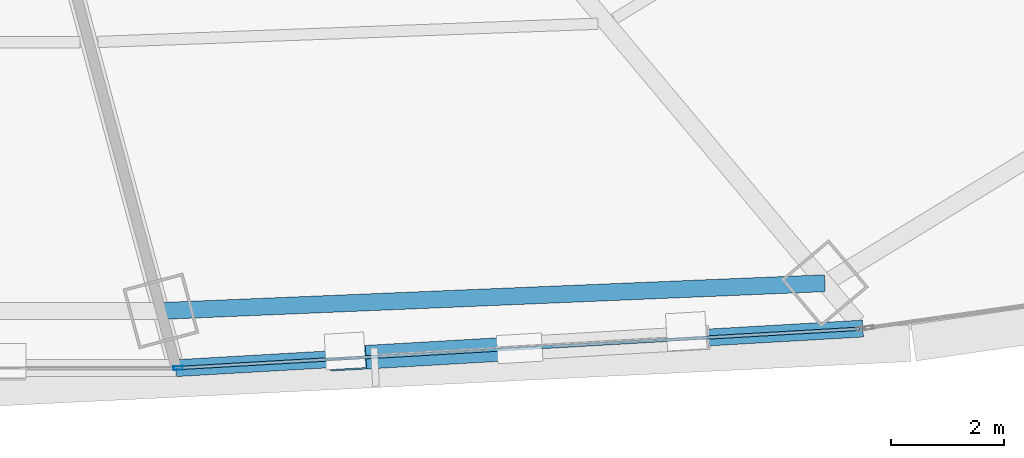
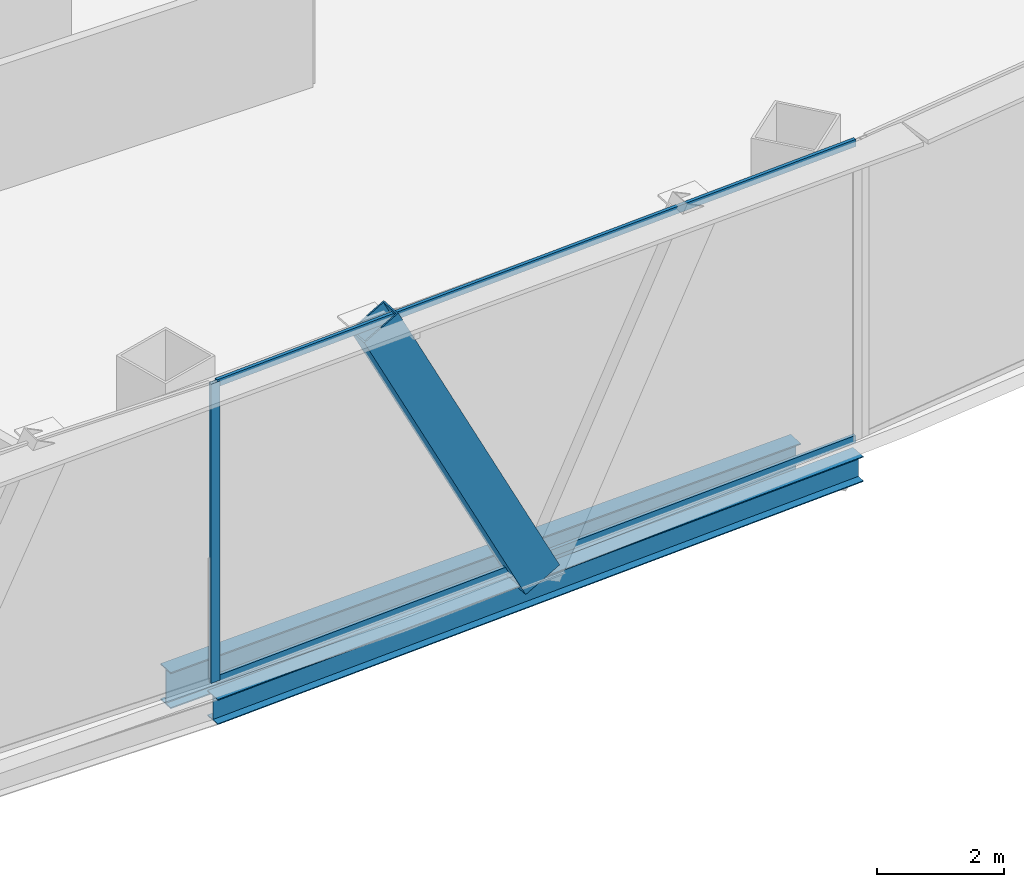
# One storey, part 10 of 41: 4 members, 2 beams, 1 element without a shape of its own.
"""IFC4 building model written with IfcOpenShell, lengths in metres."""

from ifc_helpers import new_model, si_unit, direction, frame, origin, origin_2d, place, context, subcontext, project, spatial, hollow_rectangle, i_section, extrude, source, transform, mapped, material, layer, layer_set, material_profile, profile_set, type_object, element, aggregate, save


model = new_model("IFC4")

# Units and contexts
model_context = context("Model", 3, precision=1e-05, world=origin(), true_north=direction((0.0, 1.0)))
body_context = subcontext(model_context, "Body", "Model", "MODEL_VIEW")
ifc_project = project(units=[si_unit("LENGTHUNIT", "METRE"), si_unit("AREAUNIT", "SQUARE_METRE"), si_unit("VOLUMEUNIT", "CUBIC_METRE"), si_unit("PLANEANGLEUNIT", "RADIAN"), si_unit("MASSUNIT", "GRAM", prefix="KILO"), si_unit("THERMODYNAMICTEMPERATUREUNIT", "KELVIN"), si_unit("POWERUNIT", "WATT")], contexts=[model_context])

# Site, building, storey
site_placement = place(None, origin())
site = spatial("IfcSite", under=ifc_project, at=site_placement, CompositionType="ELEMENT")
building_placement = place(site_placement, origin())
building = spatial("IfcBuilding", under=site, at=building_placement, Name="Yunzhuo Pagoda Commons", CompositionType="ELEMENT")
storey_placement = place(building_placement, frame((0.0, 0.0, 70.330078125)))
storey = spatial("IfcBuildingStorey", under=building, at=storey_placement, Name="L18", CompositionType="ELEMENT", Elevation=70.330078125)

# Beams
ifc_material_1 = material(Name="Structural steel Q355B", Category="steel")
ifc_material_profile_1 = material_profile(ifc_material_1, i_section(OverallWidth=0.300048828125, OverallDepth=0.699951171875, WebThickness=0.012939453125, FlangeThickness=0.02392578125, at=origin_2d()), Name="Structural steel Q355B")
ifc_profile_set_1 = profile_set([ifc_material_profile_1], Name="Structural steel Q355B")
beam_type_1 = type_object("IfcBeamType", Name="B-RG1 Beam HN 700x300x13x24", PredefinedType="BEAM", material=ifc_profile_set_1)
shared_shape_1 = source(origin(), body_context, "Body", "SweptSolid", [
    extrude(i_section(OverallWidth=0.300048828125, OverallDepth=0.699951171875, WebThickness=0.012939453125, FlangeThickness=0.02392578125, at=origin_2d()), origin(), (0.0, 0.0, 1.0), 11.7900390625),
])
beam_1_placement = place(storey_placement, frame((53.72021484375, 12.35205078125, -0.610107421875), z_axis=(0.99912739354, 0.041766631146, 0.0), x_axis=(-0.041766631146, 0.99912739354, 0.0)))
element("IfcBeam", 1, at=beam_1_placement, inside=storey, type_object=beam_type_1, Name="L18 column-ring beam 3", PredefinedType="BEAM", context=body_context, shape_type="MappedRepresentation", body=[
    mapped(shared_shape_1, transform((0.0, 0.0, 0.0), scale=1.0)),
])
ifc_material_profile_2 = material_profile(ifc_material_1, i_section(OverallWidth=0.300048828125, OverallDepth=0.488037109375, WebThickness=0.010986328125, FlangeThickness=0.01806640625, at=origin_2d()), Name="Structural steel Q355B")
ifc_profile_set_2 = profile_set([ifc_material_profile_2], Name="Structural steel Q355B")
beam_type_2 = type_object("IfcBeamType", Name="B-SP1 Beam HM 488x300x11x18", PredefinedType="BEAM", material=ifc_profile_set_2)
shared_shape_2 = source(origin(), body_context, "Body", "SweptSolid", [
    extrude(i_section(OverallWidth=0.300048828125, OverallDepth=0.488037109375, WebThickness=0.010986328125, FlangeThickness=0.01806640625, at=origin_2d()), origin(), (0.0, 0.0, 1.0), 12.203125),
])
beam_2_placement = place(storey_placement, frame((53.991943359375, 11.337890625, -0.504150390625), z_axis=(0.998343280555, 0.057538631989, 0.0), x_axis=(-0.057538631989, 0.998343280555, 0.0)))
element("IfcBeam", 2, at=beam_2_placement, inside=storey, type_object=beam_type_2, Name="L18 facade edge spandrel beam F1.3", PredefinedType="BEAM", context=body_context, shape_type="MappedRepresentation", body=[
    mapped(shared_shape_2, transform((0.0, 0.0, 0.0), scale=1.0)),
])

# Member
ifc_material_2 = material(Name="Structural steel Q420B", Category="steel")
ifc_material_profile_3 = material_profile(ifc_material_2, hollow_rectangle(XDim=0.419921875, YDim=0.719970703125, WallThickness=0.028076171875, at=origin_2d()), Name="Structural steel Q420B")
ifc_profile_set_3 = profile_set([ifc_material_profile_3], Name="Structural steel Q420B")
member_type_1 = type_object("IfcMemberType", Name="M-DL1 Brace BOX 720x420x28", PredefinedType="BRACE", material=ifc_profile_set_3)
shared_shape_3 = source(origin(), body_context, "Body", "SweptSolid", [
    extrude(hollow_rectangle(XDim=0.419921875, YDim=0.719970703125, WallThickness=0.028076171875, at=origin_2d()), origin(), (0.0, 0.0, 1.0), 6.7578125),
])
member_1_placement = place(storey_placement, frame((60.08349609375, 11.68896484375, -0.260009765625), z_axis=(-0.450714549851, -0.026011099382, 0.892289088391), x_axis=(0.057614940154, -0.998338879675, 0.0)))
element("IfcMember", 3, at=member_1_placement, inside=storey, type_object=member_type_1, Name="L18 facade diamond brace F1.3L", PredefinedType="BRACE", context=body_context, shape_type="MappedRepresentation", body=[
    mapped(shared_shape_3, transform((0.0, 0.0, 0.0), scale=1.0)),
])

# Curtain wall, members
ifc_material_3 = material(Name="Anodized aluminium 6063-T6", Category="aluminium")
ifc_layer = layer(ifc_material_3, 0.1650390625)
ifc_layer_set = layer_set([ifc_layer], Name="Anodized aluminium 6063-T6")
curtain_wall_type = type_object("IfcCurtainWallType", Name="CW-LOW Low-Zone Ribbon Curtain Wall", PredefinedType="NOTDEFINED", material=ifc_layer_set)
curtain_wall_placement = place(storey_placement, origin())
curtain_wall = element("IfcCurtainWall", 4, at=curtain_wall_placement, inside=storey, type_object=curtain_wall_type, Name="L18 curtain wall CW-L18-F1B4", PredefinedType="NOTDEFINED")
ifc_material_profile_4 = material_profile(ifc_material_3, hollow_rectangle(XDim=0.06005859375, YDim=0.139892578125, WallThickness=0.00341796875, at=origin_2d()), Name="Anodized aluminium 6063-T6")
ifc_profile_set_4 = profile_set([ifc_material_profile_4], Name="Anodized aluminium 6063-T6")
member_type_2 = type_object("IfcMemberType", Name="CW-LOW-T Transom RHS 140x60x3.5", PredefinedType="USERDEFINED", material=ifc_profile_set_4)
shared_shape_4 = source(origin(), body_context, "Body", "SweptSolid", [
    extrude(hollow_rectangle(XDim=0.06005859375, YDim=0.139892578125, WallThickness=0.00341796875, at=origin_2d()), origin(), (0.0, 0.0, 1.0), 12.0732421875),
])
member_2_placement = place(storey_placement, frame((54.056884765625, 11.341552734375, 0.030029296875), z_axis=(0.998342579206, 0.057550799684, 0.0), x_axis=(-0.057550799684, 0.998342579206, 0.0)))
member_2 = element("IfcMember", 5, at=member_2_placement, type_object=member_type_2, Name="CW transom 1.1", ObjectType="TRANSOM", PredefinedType="USERDEFINED", context=body_context, shape_type="MappedRepresentation", body=[
    mapped(shared_shape_4, transform((0.0, 0.0, 0.0), scale=1.0)),
])
member_3_placement = place(storey_placement, frame((54.056884765625, 11.341552734375, 5.739990234375), z_axis=(0.998342579206, 0.057550799684, 0.0), x_axis=(-0.057550799684, 0.998342579206, 0.0)))
member_3 = element("IfcMember", 6, at=member_3_placement, type_object=member_type_2, Name="CW transom 1.2", ObjectType="TRANSOM", PredefinedType="USERDEFINED", context=body_context, shape_type="MappedRepresentation", body=[
    mapped(shared_shape_4, transform((0.0, 0.0, 0.0), scale=1.0)),
])
ifc_material_profile_5 = material_profile(ifc_material_3, hollow_rectangle(XDim=0.06494140625, YDim=0.1650390625, WallThickness=0.00390625, at=origin_2d()), Name="Anodized aluminium 6063-T6")
ifc_profile_set_5 = profile_set([ifc_material_profile_5], Name="Anodized aluminium 6063-T6")
member_type_3 = type_object("IfcMemberType", Name="CW-LOW-M Mullion RHS 165x65x4", PredefinedType="MULLION", material=ifc_profile_set_5)
shared_shape_5 = source(origin(), body_context, "Body", "SweptSolid", [
    extrude(hollow_rectangle(XDim=0.06494140625, YDim=0.1650390625, WallThickness=0.00390625, at=origin_2d()), origin(), (0.0, 0.0, 1.0), 5.77001953125),
])
member_4_placement = place(storey_placement, frame((54.0244140625, 11.339599609375, 0.0), z_axis=(0.0, 0.0, 1.0), x_axis=(-0.057542190557, 0.998343075454, 0.0)))
member_4 = element("IfcMember", 7, at=member_4_placement, type_object=member_type_3, Name="CW mullion 1", PredefinedType="MULLION", context=body_context, shape_type="MappedRepresentation", body=[
    mapped(shared_shape_5, transform((0.0, 0.0, 0.0), scale=1.0)),
])
aggregate(curtain_wall, [member_4, member_2, member_3])

save(model, "model.ifc")
